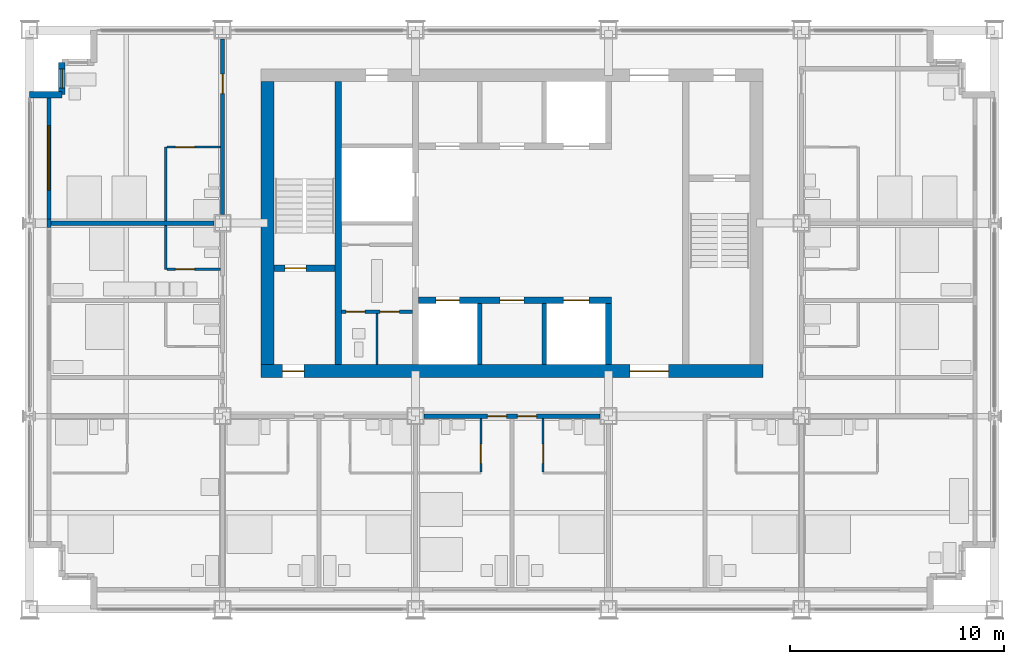
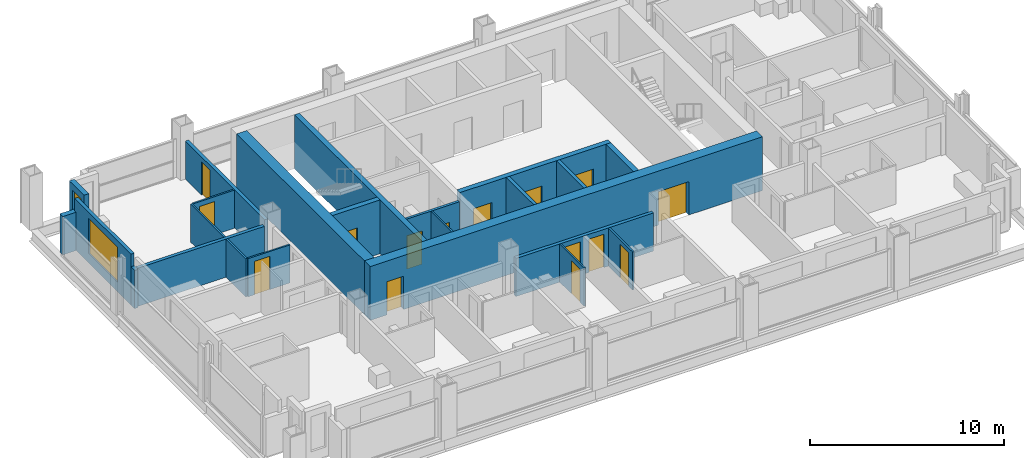
# One storey, part 8 of 14: 23 walls, 15 doors, 2 windows, 17 openings.
"""IFC4 building model written with IfcOpenShell, lengths in metres."""

from ifc_helpers import new_model, si_unit, direction, frame, frame_2d, origin, place, context, subcontext, project, spatial, rectangle, extrude, material, layer, layer_set, type_object, element, fill, save


model = new_model("IFC4")

# Units and contexts
model_context = context("Model", 3, precision=1e-05, world=origin(), true_north=direction((0.0, 1.0)))
body_context = subcontext(model_context, "Body", "Model", "MODEL_VIEW")
ifc_project = project(units=[si_unit("LENGTHUNIT", "METRE"), si_unit("AREAUNIT", "SQUARE_METRE"), si_unit("VOLUMEUNIT", "CUBIC_METRE"), si_unit("PLANEANGLEUNIT", "RADIAN"), si_unit("MASSUNIT", "GRAM", prefix="KILO")], contexts=[model_context])

# Site, building, storey
site_placement = place(None, origin())
site = spatial("IfcSite", under=ifc_project, at=site_placement, CompositionType="ELEMENT")
building_placement = place(site_placement, origin())
building = spatial("IfcBuilding", under=site, at=building_placement, Name="Loomwork Tower", CompositionType="ELEMENT")
storey_placement = place(building_placement, frame((0.0, 0.0, 170.60009765625)))
storey = spatial("IfcBuildingStorey", under=building, at=storey_placement, Name="L46", CompositionType="ELEMENT", Elevation=170.60009765625)

# Wall
ifc_material_1 = material(Name="Concrete 14000 psi (97 MPa)", Category="concrete")
ifc_layer_1 = layer(ifc_material_1, 0.300048828125)
ifc_layer_set_1 = layer_set([ifc_layer_1], Name="Core shear wall 300")
wall_type_1 = type_object("IfcWallType", Name="Core shear wall 300", PredefinedType="SHEAR", material=ifc_layer_set_1)
wall_1_placement = place(storey_placement, frame((14.39990234375, 11.39990234375, 0.0), z_axis=(0.0, 0.0, 1.0), x_axis=(0.0, 1.0, 0.0)))
element("IfcWall", 1, at=wall_1_placement, inside=storey, type_object=wall_type_1, Name="Stair A east wall L46", PredefinedType="SHEAR", context=body_context, shape_type="SweptSolid", body=[
    extrude(rectangle(XDim=13.2001953125, YDim=0.300048828125, at=frame_2d((6.60009765625, 0.0))), origin(), (0.0, 0.0, 1.0), 3.39990234375),
])

# Wall, opening, door
wall_2_placement = place(storey_placement, frame((11.39990234375, 15.89990234375, 0.0), z_axis=(0.0, 0.0, 1.0), x_axis=(1.0, 0.0, 0.0)))
wall_2 = element("IfcWall", 2, at=wall_2_placement, inside=storey, type_object=wall_type_1, Name="Stair A south wall L46", PredefinedType="SHEAR", context=body_context, shape_type="SweptSolid", body=[
    extrude(rectangle(XDim=2.85009765625, YDim=0.300048828125, at=frame_2d((1.425048828125, 0.0))), origin(), (0.0, 0.0, 1.0), 3.39990234375),
])
opening_1_placement = place(wall_2_placement, frame((0.5, 0.0, 0.0)))
opening_1 = element("IfcOpeningElement", 3, at=opening_1_placement, cuts=wall_2, Name="Opening D4", PredefinedType="OPENING", context=body_context, shape_type="SweptSolid", body=[
    extrude(rectangle(XDim=1.0, YDim=2.10009765625, at=frame_2d((0.5, 1.050048828125))), frame((0.0, 0.159912109375, 0.0), z_axis=(0.0, -1.0, 0.0), x_axis=(1.0, 0.0, 0.0)), (0.0, 0.0, 1.0), 0.320068359375),
])
ifc_material_2 = material(Name="Hollow metal door and frame")
door_type_1 = type_object("IfcDoorType", Name="Stair door 1000", OperationType="SINGLE_SWING_RIGHT", PredefinedType="DOOR", material=ifc_material_2)
door_1_placement = place(opening_1_placement, origin())
door_1 = element("IfcDoor", 4, at=door_1_placement, inside=storey, type_object=door_type_1, Name="Stair A door", OperationType="SINGLE_SWING_LEFT", OverallHeight=2.10009765625, OverallWidth=1.0, PredefinedType="DOOR", context=body_context, shape_type="SweptSolid", body=[
    extrude(rectangle(XDim=1.0, YDim=2.10009765625, at=frame_2d((0.5, 1.050048828125))), frame((0.0, 0.02490234375, 0.0), z_axis=(0.0, -1.0, 0.0), x_axis=(1.0, 0.0, 0.0)), (0.0, 0.0, 1.0), 0.050048828125),
])
fill(opening_1, door_1)

# Wall, openings, doors
wall_3_placement = place(storey_placement, frame((18.14990234375, 14.39990234375, 0.0), z_axis=(0.0, 0.0, 1.0), x_axis=(1.0, 0.0, 0.0)))
wall_3 = element("IfcWall", 5, at=wall_3_placement, inside=storey, type_object=wall_type_1, Name="Lift front wall south L46", PredefinedType="SHEAR", context=body_context, shape_type="SweptSolid", body=[
    extrude(rectangle(XDim=9.0, YDim=0.300048828125, at=frame_2d((4.5, 0.0))), origin(), (0.0, 0.0, 1.0), 3.39990234375),
])
opening_2_placement = place(wall_3_placement, frame((0.800048828125, 0.0, 0.0)))
opening_2 = element("IfcOpeningElement", 6, at=opening_2_placement, cuts=wall_3, Name="Opening LD1", PredefinedType="OPENING", context=body_context, shape_type="SweptSolid", body=[
    extrude(rectangle(XDim=1.10009765625, YDim=2.10009765625, at=frame_2d((0.550048828125, 1.050048828125))), frame((0.0, 0.159912109375, 0.0), z_axis=(0.0, -1.0, 0.0), x_axis=(1.0, 0.0, 0.0)), (0.0, 0.0, 1.0), 0.320068359375),
])
opening_3_placement = place(wall_3_placement, frame((6.75, 0.0, 0.0)))
opening_3 = element("IfcOpeningElement", 7, at=opening_3_placement, cuts=wall_3, Name="Opening LD2", PredefinedType="OPENING", context=body_context, shape_type="SweptSolid", body=[
    extrude(rectangle(XDim=1.199951171875, YDim=2.10009765625, at=frame_2d((0.60009765625, 1.050048828125))), frame((0.0, 0.159912109375, 0.0), z_axis=(0.0, -1.0, 0.0), x_axis=(1.0, 0.0, 0.0)), (0.0, 0.0, 1.0), 0.320068359375),
])
opening_4_placement = place(wall_3_placement, frame((3.800048828125, 0.0, 0.0)))
opening_4 = element("IfcOpeningElement", 8, at=opening_4_placement, cuts=wall_3, Name="Opening D17", PredefinedType="OPENING", context=body_context, shape_type="SweptSolid", body=[
    extrude(rectangle(XDim=1.10009765625, YDim=2.10009765625, at=frame_2d((0.550048828125, 1.050048828125))), frame((0.0, 0.159912109375, 0.0), z_axis=(0.0, -1.0, 0.0), x_axis=(1.0, 0.0, 0.0)), (0.0, 0.0, 1.0), 0.320068359375),
])
ifc_material_3 = material(Name="Hollow metal door and frame")
door_type_2 = type_object("IfcDoorType", Name="Lift landing door 1100", OperationType="SLIDING_TO_LEFT", PredefinedType="DOOR", material=ifc_material_3)
door_2_placement = place(opening_2_placement, origin())
door_2 = element("IfcDoor", 9, at=door_2_placement, inside=storey, type_object=door_type_2, Name="Lift landing door LC1", OperationType="SLIDING_TO_LEFT", OverallHeight=2.10009765625, OverallWidth=1.10009765625, PredefinedType="DOOR", context=body_context, shape_type="SweptSolid", body=[
    extrude(rectangle(XDim=1.10009765625, YDim=2.10009765625, at=frame_2d((0.550048828125, 1.050048828125))), frame((0.0, 0.02490234375, 0.0), z_axis=(0.0, -1.0, 0.0), x_axis=(1.0, 0.0, 0.0)), (0.0, 0.0, 1.0), 0.050048828125),
])
fill(opening_2, door_2)
ifc_material_4 = material(Name="Hollow metal door and frame")
door_type_3 = type_object("IfcDoorType", Name="Lift landing door 1200", OperationType="SLIDING_TO_LEFT", PredefinedType="DOOR", material=ifc_material_4)
door_3_placement = place(opening_3_placement, origin())
door_3 = element("IfcDoor", 10, at=door_3_placement, inside=storey, type_object=door_type_3, Name="Lift landing door LF1", OperationType="SLIDING_TO_LEFT", OverallHeight=2.10009765625, OverallWidth=1.199951171875, PredefinedType="DOOR", context=body_context, shape_type="SweptSolid", body=[
    extrude(rectangle(XDim=1.199951171875, YDim=2.10009765625, at=frame_2d((0.60009765625, 1.050048828125))), frame((0.0, 0.02490234375, 0.0), z_axis=(0.0, -1.0, 0.0), x_axis=(1.0, 0.0, 0.0)), (0.0, 0.0, 1.0), 0.050048828125),
])
fill(opening_3, door_3)
ifc_material_5 = material(Name="Hollow metal door and frame")
door_type_4 = type_object("IfcDoorType", Name="Service room door 1100", OperationType="SINGLE_SWING_LEFT", PredefinedType="DOOR", material=ifc_material_5)
door_4_placement = place(opening_4_placement, frame((1.10009765625, 0.0, 0.0), z_axis=(0.0, 0.0, 1.0), x_axis=(-1.0, 0.0, 0.0)))
door_4 = element("IfcDoor", 11, at=door_4_placement, inside=storey, type_object=door_type_4, Name="IT and communications room door L46", OperationType="SINGLE_SWING_RIGHT", OverallHeight=2.10009765625, OverallWidth=1.10009765625, PredefinedType="DOOR", context=body_context, shape_type="SweptSolid", body=[
    extrude(rectangle(XDim=1.10009765625, YDim=2.10009765625, at=frame_2d((0.550048828125, 1.050048828125))), frame((0.0, 0.02490234375, 0.0), z_axis=(0.0, -1.0, 0.0), x_axis=(1.0, 0.0, 0.0)), (0.0, 0.0, 1.0), 0.050048828125),
])
fill(opening_4, door_4)

# Wall
wall_4_placement = place(storey_placement, frame((27.0, 11.39990234375, 0.0), z_axis=(0.0, 0.0, 1.0), x_axis=(0.0, 1.0, 0.0)))
element("IfcWall", 12, at=wall_4_placement, inside=storey, type_object=wall_type_1, Name="Lift shaft end wall south L46", PredefinedType="SHEAR", context=body_context, shape_type="SweptSolid", body=[
    extrude(rectangle(XDim=2.85009765625, YDim=0.300048828125, at=frame_2d((1.425048828125, 0.0))), origin(), (0.0, 0.0, 1.0), 3.39990234375),
])

# Wall, openings, doors
ifc_material_6 = material(Name="Concrete 14000 psi (97 MPa)", Category="concrete")
ifc_layer_2 = layer(ifc_material_6, 0.60009765625)
ifc_layer_set_2 = layer_set([ifc_layer_2], Name="Core shear wall 600")
wall_type_2 = type_object("IfcWallType", Name="Core shear wall 600", PredefinedType="SHEAR", material=ifc_layer_set_2)
wall_5_placement = place(storey_placement, frame((10.800048828125, 11.10009765625, 0.0), z_axis=(0.0, 0.0, 1.0), x_axis=(1.0, 0.0, 0.0)))
wall_5 = element("IfcWall", 13, at=wall_5_placement, inside=storey, type_object=wall_type_2, Name="Core wall south L46", PredefinedType="SHEAR", context=body_context, shape_type="SweptSolid", body=[
    extrude(rectangle(XDim=23.39990234375, YDim=0.60009765625, at=frame_2d((11.699951171875, 0.0))), origin(), (0.0, 0.0, 1.0), 3.39990234375),
])
opening_5_placement = place(wall_5_placement, frame((1.0, 0.0, 0.0)))
opening_5 = element("IfcOpeningElement", 14, at=opening_5_placement, cuts=wall_5, Name="Opening D4", PredefinedType="OPENING", context=body_context, shape_type="SweptSolid", body=[
    extrude(rectangle(XDim=1.0, YDim=2.10009765625, at=frame_2d((0.5, 1.050048828125))), frame((0.0, 0.31005859375, 0.0), z_axis=(0.0, -1.0, 0.0), x_axis=(1.0, 0.0, 0.0)), (0.0, 0.0, 1.0), 0.6201171875),
])
opening_6_placement = place(wall_5_placement, frame((17.199951171875, 0.0, 0.0)))
opening_6 = element("IfcOpeningElement", 15, at=opening_6_placement, cuts=wall_5, Name="Opening D6", PredefinedType="OPENING", context=body_context, shape_type="SweptSolid", body=[
    extrude(rectangle(XDim=1.800048828125, YDim=2.10009765625, at=frame_2d((0.89990234375, 1.050048828125))), frame((0.0, 0.31005859375, 0.0), z_axis=(0.0, -1.0, 0.0), x_axis=(1.0, 0.0, 0.0)), (0.0, 0.0, 1.0), 0.6201171875),
])
ifc_material_7 = material(Name="Hollow metal door and frame")
door_type_5 = type_object("IfcDoorType", Name="Lobby passage double door 1800", OperationType="DOUBLE_DOOR_SINGLE_SWING", PredefinedType="DOOR", material=ifc_material_7)
door_5_placement = place(opening_6_placement, origin())
door_5 = element("IfcDoor", 16, at=door_5_placement, inside=storey, type_object=door_type_5, Name="Lobby passage door south", OperationType="DOUBLE_DOOR_SINGLE_SWING", OverallHeight=2.10009765625, OverallWidth=1.800048828125, PredefinedType="DOOR", context=body_context, shape_type="SweptSolid", body=[
    extrude(rectangle(XDim=1.800048828125, YDim=2.10009765625, at=frame_2d((0.89990234375, 1.050048828125))), frame((0.0, 0.02490234375, 0.0), z_axis=(0.0, -1.0, 0.0), x_axis=(1.0, 0.0, 0.0)), (0.0, 0.0, 1.0), 0.050048828125),
])
fill(opening_6, door_5)
door_6_placement = place(opening_5_placement, origin())
door_6 = element("IfcDoor", 17, at=door_6_placement, inside=storey, type_object=door_type_1, Name="Stair A vestibule door", OperationType="SINGLE_SWING_LEFT", OverallHeight=2.10009765625, OverallWidth=1.0, PredefinedType="DOOR", context=body_context, shape_type="SweptSolid", body=[
    extrude(rectangle(XDim=1.0, YDim=2.10009765625, at=frame_2d((0.5, 1.050048828125))), frame((0.0, 0.02490234375, 0.0), z_axis=(0.0, -1.0, 0.0), x_axis=(1.0, 0.0, 0.0)), (0.0, 0.0, 1.0), 0.050048828125),
])
fill(opening_5, door_6)

# Wall
wall_6_placement = place(storey_placement, frame((11.10009765625, 11.39990234375, 0.0), z_axis=(0.0, 0.0, 1.0), x_axis=(0.0, 1.0, 0.0)))
element("IfcWall", 18, at=wall_6_placement, inside=storey, type_object=wall_type_2, Name="Core wall west L46", PredefinedType="SHEAR", context=body_context, shape_type="SweptSolid", body=[
    extrude(rectangle(XDim=13.2001953125, YDim=0.60009765625, at=frame_2d((6.60009765625, 0.0))), origin(), (0.0, 0.0, 1.0), 3.39990234375),
])

# Wall, openings, doors
ifc_material_8 = material(Name="Gypsum board on steel studs, one-hour", Category="steel")
ifc_layer_3 = layer(ifc_material_8, 0.199951171875)
ifc_layer_set_3 = layer_set([ifc_layer_3], Name="Corridor wall 200")
wall_type_3 = type_object("IfcWallType", Name="Corridor wall 200", PredefinedType="PARTITIONING", material=ifc_layer_set_3)
wall_7_placement = place(storey_placement, frame((18.39990234375, 9.0, 0.0), z_axis=(0.0, 0.0, 1.0), x_axis=(1.0, 0.0, 0.0)))
wall_7 = element("IfcWall", 19, at=wall_7_placement, inside=storey, type_object=wall_type_3, Name="South corridor wall 3", PredefinedType="PARTITIONING", context=body_context, shape_type="SweptSolid", body=[
    extrude(rectangle(XDim=8.2001953125, YDim=0.199951171875, at=frame_2d((4.10009765625, 0.0))), origin(), (0.0, 0.0, 1.0), 2.40478515625),
])
opening_7_placement = place(wall_7_placement, frame((2.949951171875, 0.0, 0.0)))
opening_7 = element("IfcOpeningElement", 20, at=opening_7_placement, cuts=wall_7, Name="Opening D1", PredefinedType="OPENING", context=body_context, shape_type="SweptSolid", body=[
    extrude(rectangle(XDim=0.89990234375, YDim=2.10009765625, at=frame_2d((0.449951171875, 1.050048828125))), frame((0.0, 0.10986328125, 0.0), z_axis=(0.0, -1.0, 0.0), x_axis=(1.0, 0.0, 0.0)), (0.0, 0.0, 1.0), 0.219970703125),
])
opening_8_placement = place(wall_7_placement, frame((4.35009765625, 0.0, 0.0)))
opening_8 = element("IfcOpeningElement", 21, at=opening_8_placement, cuts=wall_7, Name="Opening D1", PredefinedType="OPENING", context=body_context, shape_type="SweptSolid", body=[
    extrude(rectangle(XDim=0.89990234375, YDim=2.10009765625, at=frame_2d((0.449951171875, 1.050048828125))), frame((0.0, 0.10986328125, 0.0), z_axis=(0.0, -1.0, 0.0), x_axis=(1.0, 0.0, 0.0)), (0.0, 0.0, 1.0), 0.219970703125),
])
ifc_material_9 = material(Name="Hollow metal door and frame")
door_type_6 = type_object("IfcDoorType", Name="Guest room entry door 900", OperationType="SINGLE_SWING_LEFT", PredefinedType="DOOR", material=ifc_material_9)
door_7_placement = place(opening_7_placement, frame((0.89990234375, 0.0, 0.0), z_axis=(0.0, 0.0, 1.0), x_axis=(-1.0, 0.0, 0.0)))
door_7 = element("IfcDoor", 22, at=door_7_placement, inside=storey, type_object=door_type_6, Name="Guest room entry door L46 4", OperationType="SINGLE_SWING_LEFT", OverallHeight=2.10009765625, OverallWidth=0.89990234375, PredefinedType="DOOR", context=body_context, shape_type="SweptSolid", body=[
    extrude(rectangle(XDim=0.89990234375, YDim=2.10009765625, at=frame_2d((0.449951171875, 1.050048828125))), frame((0.0, 0.02490234375, 0.0), z_axis=(0.0, -1.0, 0.0), x_axis=(1.0, 0.0, 0.0)), (0.0, 0.0, 1.0), 0.050048828125),
])
fill(opening_7, door_7)
door_8_placement = place(opening_8_placement, frame((0.89990234375, 0.0, 0.0), z_axis=(0.0, 0.0, 1.0), x_axis=(-1.0, 0.0, 0.0)))
door_8 = element("IfcDoor", 23, at=door_8_placement, inside=storey, type_object=door_type_6, Name="Guest room entry door L46 5", OperationType="SINGLE_SWING_RIGHT", OverallHeight=2.10009765625, OverallWidth=0.89990234375, PredefinedType="DOOR", context=body_context, shape_type="SweptSolid", body=[
    extrude(rectangle(XDim=0.89990234375, YDim=2.10009765625, at=frame_2d((0.449951171875, 1.050048828125))), frame((0.0, 0.02490234375, 0.0), z_axis=(0.0, -1.0, 0.0), x_axis=(1.0, 0.0, 0.0)), (0.0, 0.0, 1.0), 0.050048828125),
])
fill(opening_8, door_8)

# Wall, opening, door
wall_8_placement = place(storey_placement, frame((9.0, 18.39990234375, 0.0), z_axis=(0.0, 0.0, 1.0), x_axis=(0.0, 1.0, 0.0)))
wall_8 = element("IfcWall", 24, at=wall_8_placement, inside=storey, type_object=wall_type_3, Name="West corridor wall 2", PredefinedType="PARTITIONING", context=body_context, shape_type="SweptSolid", body=[
    extrude(rectangle(XDim=8.2001953125, YDim=0.199951171875, at=frame_2d((4.10009765625, 0.0))), origin(), (0.0, 0.0, 1.0), 2.40478515625),
])
opening_9_placement = place(wall_8_placement, frame((5.64990234375, 0.0, 0.0)))
opening_9 = element("IfcOpeningElement", 25, at=opening_9_placement, cuts=wall_8, Name="Opening D1", PredefinedType="OPENING", context=body_context, shape_type="SweptSolid", body=[
    extrude(rectangle(XDim=0.89990234375, YDim=2.10009765625, at=frame_2d((0.449951171875, 1.050048828125))), frame((0.0, 0.10986328125, 0.0), z_axis=(0.0, -1.0, 0.0), x_axis=(1.0, 0.0, 0.0)), (0.0, 0.0, 1.0), 0.219970703125),
])
door_9_placement = place(opening_9_placement, origin())
door_9 = element("IfcDoor", 26, at=door_9_placement, inside=storey, type_object=door_type_6, Name="Guest room entry door L46 10", OperationType="SINGLE_SWING_RIGHT", OverallHeight=2.10009765625, OverallWidth=0.89990234375, PredefinedType="DOOR", context=body_context, shape_type="SweptSolid", body=[
    extrude(rectangle(XDim=0.89990234375, YDim=2.10009765625, at=frame_2d((0.449951171875, 1.050048828125))), frame((0.0, 0.02490234375, 0.0), z_axis=(0.0, -1.0, 0.0), x_axis=(1.0, 0.0, 0.0)), (0.0, 0.0, 1.0), 0.050048828125),
])
fill(opening_9, door_9)

ifc_material_10 = material(Name="Cement board on steel studs", Category="steel")
ifc_layer_4 = layer(ifc_material_10, 0.10009765625)
ifc_layer_set_4 = layer_set([ifc_layer_4], Name="En-suite partition 100")
wall_type_4 = type_object("IfcWallType", Name="En-suite partition 100", PredefinedType="PARTITIONING", material=ifc_layer_set_4)
wall_9_placement = place(storey_placement, frame((21.050048828125, 8.89990234375, 0.0), z_axis=(0.0, 0.0, 1.0), x_axis=(0.0, -1.0, 0.0)))
wall_9 = element("IfcWall", 27, at=wall_9_placement, inside=storey, type_object=wall_type_4, Name="En-suite side wall L46 room 4", PredefinedType="PARTITIONING", context=body_context, shape_type="SweptSolid", body=[
    extrude(rectangle(XDim=2.5, YDim=0.10009765625, at=frame_2d((1.25, 0.0))), origin(), (0.0, 0.0, 1.0), 2.40380859375),
])
opening_10_placement = place(wall_9_placement, frame((1.199951171875, 0.0, 0.0)))
opening_10 = element("IfcOpeningElement", 28, at=opening_10_placement, cuts=wall_9, Name="Opening D2", PredefinedType="OPENING", context=body_context, shape_type="SweptSolid", body=[
    extrude(rectangle(XDim=0.89990234375, YDim=2.10009765625, at=frame_2d((0.449951171875, 1.050048828125))), frame((0.0, 0.06005859375, 0.0), z_axis=(0.0, -1.0, 0.0), x_axis=(1.0, 0.0, 0.0)), (0.0, 0.0, 1.0), 0.1201171875),
])
ifc_material_11 = material(Name="Hollow metal door and frame")
door_type_7 = type_object("IfcDoorType", Name="En-suite door 900", OperationType="SINGLE_SWING_LEFT", PredefinedType="DOOR", material=ifc_material_11)
door_10_placement = place(opening_10_placement, frame((0.89990234375, 0.0, 0.0), z_axis=(0.0, 0.0, 1.0), x_axis=(-1.0, 0.0, 0.0)))
door_10 = element("IfcDoor", 29, at=door_10_placement, inside=storey, type_object=door_type_7, Name="En-suite door room 4", OperationType="SINGLE_SWING_LEFT", OverallHeight=2.10009765625, OverallWidth=0.89990234375, PredefinedType="DOOR", context=body_context, shape_type="SweptSolid", body=[
    extrude(rectangle(XDim=0.89990234375, YDim=2.10009765625, at=frame_2d((0.449951171875, 1.050048828125))), frame((0.0, 0.02490234375, 0.0), z_axis=(0.0, -1.0, 0.0), x_axis=(1.0, 0.0, 0.0)), (0.0, 0.0, 1.0), 0.050048828125),
])
fill(opening_10, door_10)

wall_10_placement = place(storey_placement, frame((23.949951171875, 8.89990234375, 0.0), z_axis=(0.0, 0.0, 1.0), x_axis=(0.0, -1.0, 0.0)))
wall_10 = element("IfcWall", 30, at=wall_10_placement, inside=storey, type_object=wall_type_4, Name="En-suite side wall L46 room 5", PredefinedType="PARTITIONING", context=body_context, shape_type="SweptSolid", body=[
    extrude(rectangle(XDim=2.5, YDim=0.10009765625, at=frame_2d((1.25, 0.0))), origin(), (0.0, 0.0, 1.0), 2.40380859375),
])
opening_11_placement = place(wall_10_placement, frame((1.199951171875, 0.0, 0.0)))
opening_11 = element("IfcOpeningElement", 31, at=opening_11_placement, cuts=wall_10, Name="Opening D2", PredefinedType="OPENING", context=body_context, shape_type="SweptSolid", body=[
    extrude(rectangle(XDim=0.89990234375, YDim=2.10009765625, at=frame_2d((0.449951171875, 1.050048828125))), frame((0.0, 0.06005859375, 0.0), z_axis=(0.0, -1.0, 0.0), x_axis=(1.0, 0.0, 0.0)), (0.0, 0.0, 1.0), 0.1201171875),
])
door_11_placement = place(opening_11_placement, origin())
door_11 = element("IfcDoor", 32, at=door_11_placement, inside=storey, type_object=door_type_7, Name="En-suite door room 5", OperationType="SINGLE_SWING_RIGHT", OverallHeight=2.10009765625, OverallWidth=0.89990234375, PredefinedType="DOOR", context=body_context, shape_type="SweptSolid", body=[
    extrude(rectangle(XDim=0.89990234375, YDim=2.10009765625, at=frame_2d((0.449951171875, 1.050048828125))), frame((0.0, 0.02490234375, 0.0), z_axis=(0.0, -1.0, 0.0), x_axis=(1.0, 0.0, 0.0)), (0.0, 0.0, 1.0), 0.050048828125),
])
fill(opening_11, door_11)

# Wall
wall_11_placement = place(storey_placement, frame((6.35009765625, 15.85009765625, 0.0), z_axis=(0.0, 0.0, 1.0), x_axis=(0.0, 1.0, 0.0)))
element("IfcWall", 33, at=wall_11_placement, inside=storey, type_object=wall_type_4, Name="En-suite wall L46 room 9", PredefinedType="PARTITIONING", context=body_context, shape_type="SweptSolid", body=[
    extrude(rectangle(XDim=2.0498046875, YDim=0.10009765625, at=frame_2d((1.02490234375, 0.0))), origin(), (0.0, 0.0, 1.0), 2.40380859375),
])

# Wall, opening, door
wall_12_placement = place(storey_placement, frame((8.89990234375, 15.85009765625, 0.0), z_axis=(0.0, 0.0, 1.0), x_axis=(-1.0, 0.0, 0.0)))
wall_12 = element("IfcWall", 34, at=wall_12_placement, inside=storey, type_object=wall_type_4, Name="En-suite side wall L46 room 9", PredefinedType="PARTITIONING", context=body_context, shape_type="SweptSolid", body=[
    extrude(rectangle(XDim=2.5, YDim=0.10009765625, at=frame_2d((1.25, 0.0))), origin(), (0.0, 0.0, 1.0), 2.40380859375),
])
opening_12_placement = place(wall_12_placement, frame((1.199951171875, 0.0, 0.0)))
opening_12 = element("IfcOpeningElement", 35, at=opening_12_placement, cuts=wall_12, Name="Opening D2", PredefinedType="OPENING", context=body_context, shape_type="SweptSolid", body=[
    extrude(rectangle(XDim=0.89990234375, YDim=2.10009765625, at=frame_2d((0.449951171875, 1.050048828125))), frame((0.0, 0.06005859375, 0.0), z_axis=(0.0, -1.0, 0.0), x_axis=(1.0, 0.0, 0.0)), (0.0, 0.0, 1.0), 0.1201171875),
])
door_12_placement = place(opening_12_placement, frame((0.89990234375, 0.0, 0.0), z_axis=(0.0, 0.0, 1.0), x_axis=(-1.0, 0.0, 0.0)))
door_12 = element("IfcDoor", 36, at=door_12_placement, inside=storey, type_object=door_type_7, Name="En-suite door room 9", OperationType="SINGLE_SWING_LEFT", OverallHeight=2.10009765625, OverallWidth=0.89990234375, PredefinedType="DOOR", context=body_context, shape_type="SweptSolid", body=[
    extrude(rectangle(XDim=0.89990234375, YDim=2.10009765625, at=frame_2d((0.449951171875, 1.050048828125))), frame((0.0, 0.02490234375, 0.0), z_axis=(0.0, -1.0, 0.0), x_axis=(1.0, 0.0, 0.0)), (0.0, 0.0, 1.0), 0.050048828125),
])
fill(opening_12, door_12)

# Wall
wall_13_placement = place(storey_placement, frame((6.35009765625, 18.10009765625, 0.0), z_axis=(0.0, 0.0, 1.0), x_axis=(0.0, 1.0, 0.0)))
element("IfcWall", 37, at=wall_13_placement, inside=storey, type_object=wall_type_4, Name="En-suite wall L46 room 10", PredefinedType="PARTITIONING", context=body_context, shape_type="SweptSolid", body=[
    extrude(rectangle(XDim=3.449951171875, YDim=0.10009765625, at=frame_2d((1.72509765625, 0.0))), origin(), (0.0, 0.0, 1.0), 2.40380859375),
])

# Wall, opening, door
wall_14_placement = place(storey_placement, frame((8.89990234375, 21.550048828125, 0.0), z_axis=(0.0, 0.0, 1.0), x_axis=(-1.0, 0.0, 0.0)))
wall_14 = element("IfcWall", 38, at=wall_14_placement, inside=storey, type_object=wall_type_4, Name="En-suite side wall L46 room 10", PredefinedType="PARTITIONING", context=body_context, shape_type="SweptSolid", body=[
    extrude(rectangle(XDim=2.5, YDim=0.10009765625, at=frame_2d((1.25, 0.0))), origin(), (0.0, 0.0, 1.0), 2.40380859375),
])
opening_13_placement = place(wall_14_placement, frame((1.199951171875, 0.0, 0.0)))
opening_13 = element("IfcOpeningElement", 39, at=opening_13_placement, cuts=wall_14, Name="Opening D2", PredefinedType="OPENING", context=body_context, shape_type="SweptSolid", body=[
    extrude(rectangle(XDim=0.89990234375, YDim=2.10009765625, at=frame_2d((0.449951171875, 1.050048828125))), frame((0.0, 0.06005859375, 0.0), z_axis=(0.0, -1.0, 0.0), x_axis=(1.0, 0.0, 0.0)), (0.0, 0.0, 1.0), 0.1201171875),
])
door_13_placement = place(opening_13_placement, origin())
door_13 = element("IfcDoor", 40, at=door_13_placement, inside=storey, type_object=door_type_7, Name="En-suite door room 10", OperationType="SINGLE_SWING_RIGHT", OverallHeight=2.10009765625, OverallWidth=0.89990234375, PredefinedType="DOOR", context=body_context, shape_type="SweptSolid", body=[
    extrude(rectangle(XDim=0.89990234375, YDim=2.10009765625, at=frame_2d((0.449951171875, 1.050048828125))), frame((0.0, 0.02490234375, 0.0), z_axis=(0.0, -1.0, 0.0), x_axis=(1.0, 0.0, 0.0)), (0.0, 0.0, 1.0), 0.050048828125),
])
fill(opening_13, door_13)

# Walls
wall_15_placement = place(storey_placement, frame((16.199951171875, 11.39990234375, 0.0), z_axis=(0.0, 0.0, 1.0), x_axis=(0.0, 1.0, 0.0)))
element("IfcWall", 41, at=wall_15_placement, inside=storey, type_object=wall_type_4, Name="Back-of-house partition L46 2", PredefinedType="PARTITIONING", context=body_context, shape_type="SweptSolid", body=[
    extrude(rectangle(XDim=2.400146484375, YDim=0.10009765625, at=frame_2d((1.2001953125, 0.0))), origin(), (0.0, 0.0, 1.0), 3.199951171875),
])
ifc_material_12 = material(Name="Gypsum board on steel studs, acoustic", Category="steel")
ifc_layer_5 = layer(ifc_material_12, 0.199951171875)
ifc_layer_set_5 = layer_set([ifc_layer_5], Name="Guest room party wall 200")
wall_type_5 = type_object("IfcWallType", Name="Guest room party wall 200", PredefinedType="PARTITIONING", material=ifc_layer_set_5)
wall_16_placement = place(storey_placement, frame((8.60009765625, 18.0, 0.0), z_axis=(0.0, 0.0, 1.0), x_axis=(-1.0, 0.0, 0.0)))
element("IfcWall", 42, at=wall_16_placement, inside=storey, type_object=wall_type_5, Name="Guest room party wall W 18", PredefinedType="PARTITIONING", context=body_context, shape_type="SweptSolid", body=[
    extrude(rectangle(XDim=7.60009765625, YDim=0.199951171875, at=frame_2d((3.800048828125, 0.0))), origin(), (0.0, 0.0, 1.0), 2.40478515625),
])
ifc_material_13 = material(Name="Insulated steel stud wall with gypsum lining", Category="steel")
ifc_layer_6 = layer(ifc_material_13, 0.199951171875)
ifc_layer_set_6 = layer_set([ifc_layer_6], Name="Inner skin wall 200")
wall_type_6 = type_object("IfcWallType", Name="Inner skin wall 200", PredefinedType="SOLIDWALL", material=ifc_layer_set_6)
wall_17_placement = place(storey_placement, frame((0.89990234375, 17.80615234375, 0.0), z_axis=(0.0, 0.0, 1.0), x_axis=(0.0, 1.0, 0.0)))
element("IfcWall", 43, at=wall_17_placement, inside=storey, type_object=wall_type_6, Name="Inner skin wall W bay 6", PredefinedType="SOLIDWALL", context=body_context, shape_type="SweptSolid", body=[
    extrude(rectangle(XDim=0.3876953125, YDim=0.199951171875, at=frame_2d((0.19384765625, 0.0))), origin(), (0.0, 0.0, 1.0), 2.40380859375),
])

# Wall, opening, window
wall_18_placement = place(storey_placement, frame((0.89990234375, 18.19384765625, 0.0), z_axis=(0.0, 0.0, 1.0), x_axis=(0.0, 1.0, 0.0)))
wall_18 = element("IfcWall", 44, at=wall_18_placement, inside=storey, type_object=wall_type_6, Name="Inner skin wall W bay 7", PredefinedType="SOLIDWALL", context=body_context, shape_type="SweptSolid", body=[
    extrude(rectangle(XDim=5.80615234375, YDim=0.199951171875, at=frame_2d((2.903076171875, 0.0))), origin(), (0.0, 0.0, 1.0), 3.199951171875),
])
opening_14_placement = place(wall_18_placement, frame((1.356201171875, 0.0, 0.60009765625)))
opening_14 = element("IfcOpeningElement", 45, at=opening_14_placement, cuts=wall_18, Name="Opening CH1", PredefinedType="OPENING", context=body_context, shape_type="SweptSolid", body=[
    extrude(rectangle(XDim=3.0, YDim=2.199951171875, at=frame_2d((1.5, 1.10009765625))), frame((0.0, 0.10986328125, 0.0), z_axis=(0.0, -1.0, 0.0), x_axis=(1.0, 0.0, 0.0)), (0.0, 0.0, 1.0), 0.219970703125),
])
ifc_material_14 = material(Name="Aluminium frame with clear insulated glass", Category="aluminium")
window_type_1 = type_object("IfcWindowType", Name="Chicago window 3000", PartitioningType="TRIPLE_PANEL_VERTICAL", PredefinedType="WINDOW", material=ifc_material_14)
window_1_placement = place(opening_14_placement, origin())
window_1 = element("IfcWindow", 46, at=window_1_placement, inside=storey, type_object=window_type_1, Name="Chicago window L46 bay 7", OverallHeight=2.199951171875, OverallWidth=3.0, PartitioningType="TRIPLE_PANEL_VERTICAL", PredefinedType="WINDOW", context=body_context, shape_type="SweptSolid", body=[
    extrude(rectangle(XDim=3.0, YDim=2.199951171875, at=frame_2d((1.5, 1.10009765625))), frame((0.0, 0.030029296875, 0.0), z_axis=(0.0, -1.0, 0.0), x_axis=(1.0, 0.0, 0.0)), (0.0, 0.0, 1.0), 0.06005859375),
])
fill(opening_14, window_1)

# Walls
ifc_material_15 = material(Name="Concrete 14000 psi (97 MPa)", Category="concrete")
ifc_layer_7 = layer(ifc_material_15, 0.199951171875)
ifc_layer_set_7 = layer_set([ifc_layer_7], Name="Lift shaft wall 200")
wall_type_7 = type_object("IfcWallType", Name="Lift shaft wall 200", PredefinedType="SHEAR", material=ifc_layer_set_7)
for number, where, z_axis, x_axis, name in (
    (47, (21.0, 11.39990234375, 0.0), (0.0, 0.0, 1.0), (0.0, 1.0, 0.0), "Lift shaft separation wall south 1 L46"),
    (48, (24.0, 11.39990234375, 0.0), (0.0, 0.0, 1.0), (0.0, 1.0, 0.0), "Lift shaft separation wall south 2 L46"),
):
    element("IfcWall", number, at=place(storey_placement, frame(where, z_axis=z_axis, x_axis=x_axis)), inside=storey, type_object=wall_type_7, Name=name, PredefinedType="SHEAR", context=body_context, shape_type="SweptSolid", body=[
        extrude(rectangle(XDim=2.85009765625, YDim=0.199951171875, at=frame_2d((1.425048828125, 0.0))), origin(), (0.0, 0.0, 1.0), 3.39990234375),
    ])

# Wall, opening, window
ifc_material_16 = material(Name="Limestone on concrete masonry", Category="masonry")
ifc_layer_8 = layer(ifc_material_16, 0.300048828125)
ifc_layer_set_8 = layer_set([ifc_layer_8], Name="Limestone corner wall 300")
wall_type_8 = type_object("IfcWallType", Name="Limestone corner wall 300", PredefinedType="SOLIDWALL", material=ifc_layer_set_8)
wall_19_placement = place(storey_placement, frame((1.5, 25.5, 0.0), z_axis=(0.0, 0.0, 1.0), x_axis=(0.0, -1.0, 0.0)))
wall_19 = element("IfcWall", 49, at=wall_19_placement, inside=storey, type_object=wall_type_8, Name="Stone corner wall NW 3", PredefinedType="SOLIDWALL", context=body_context, shape_type="SweptSolid", body=[
    extrude(rectangle(XDim=1.5, YDim=0.300048828125, at=frame_2d((0.75, 0.0))), origin(), (0.0, 0.0, 1.0), 3.199951171875),
])
opening_15_placement = place(wall_19_placement, frame((0.300048828125, 0.0, 0.60009765625)))
opening_15 = element("IfcOpeningElement", 50, at=opening_15_placement, cuts=wall_19, Name="Opening CH2", PredefinedType="OPENING", context=body_context, shape_type="SweptSolid", body=[
    extrude(rectangle(XDim=0.89990234375, YDim=2.199951171875, at=frame_2d((0.449951171875, 1.10009765625))), frame((0.0, 0.159912109375, 0.0), z_axis=(0.0, -1.0, 0.0), x_axis=(1.0, 0.0, 0.0)), (0.0, 0.0, 1.0), 0.320068359375),
])
ifc_material_17 = material(Name="Aluminium frame with clear insulated glass", Category="aluminium")
window_type_2 = type_object("IfcWindowType", Name="Corner window 900", PartitioningType="SINGLE_PANEL", PredefinedType="WINDOW", material=ifc_material_17)
window_2_placement = place(opening_15_placement, origin())
window_2 = element("IfcWindow", 51, at=window_2_placement, inside=storey, type_object=window_type_2, Name="Corner window NW", OverallHeight=2.199951171875, OverallWidth=0.89990234375, PartitioningType="SINGLE_PANEL", PredefinedType="WINDOW", context=body_context, shape_type="SweptSolid", body=[
    extrude(rectangle(XDim=0.89990234375, YDim=2.199951171875, at=frame_2d((0.449951171875, 1.10009765625))), frame((0.0, 0.030029296875, 0.0), z_axis=(0.0, -1.0, 0.0), x_axis=(1.0, 0.0, 0.0)), (0.0, 0.0, 1.0), 0.06005859375),
])
fill(opening_15, window_2)

# Wall
wall_20_placement = place(storey_placement, frame((1.5, 24.0, 0.0), z_axis=(0.0, 0.0, 1.0), x_axis=(-1.0, 0.0, 0.0)))
element("IfcWall", 52, at=wall_20_placement, inside=storey, type_object=wall_type_8, Name="Stone corner wall NW 4", PredefinedType="SOLIDWALL", context=body_context, shape_type="SweptSolid", body=[
    extrude(rectangle(XDim=1.5, YDim=0.300048828125, at=frame_2d((0.75, 0.0))), origin(), (0.0, 0.0, 1.0), 2.419921875),
])

# Wall, openings, doors
ifc_material_18 = material(Name="Gypsum board on steel studs, one-hour", Category="steel")
ifc_layer_9 = layer(ifc_material_18, 0.14990234375)
ifc_layer_set_9 = layer_set([ifc_layer_9], Name="Service partition 150")
wall_type_9 = type_object("IfcWallType", Name="Service partition 150", PredefinedType="PARTITIONING", material=ifc_layer_set_9)
wall_21_placement = place(storey_placement, frame((14.550048828125, 13.875, 0.0), z_axis=(0.0, 0.0, 1.0), x_axis=(1.0, 0.0, 0.0)))
wall_21 = element("IfcWall", 53, at=wall_21_placement, inside=storey, type_object=wall_type_9, Name="Back-of-house partition L46", PredefinedType="PARTITIONING", context=body_context, shape_type="SweptSolid", body=[
    extrude(rectangle(XDim=3.300048828125, YDim=0.14990234375, at=frame_2d((1.64990234375, 0.0))), origin(), (0.0, 0.0, 1.0), 3.199951171875),
])
opening_16_placement = place(wall_21_placement, frame((0.199951171875, 0.0, 0.0)))
opening_16 = element("IfcOpeningElement", 54, at=opening_16_placement, cuts=wall_21, Name="Opening D20", PredefinedType="OPENING", context=body_context, shape_type="SweptSolid", body=[
    extrude(rectangle(XDim=0.89990234375, YDim=2.10009765625, at=frame_2d((0.449951171875, 1.050048828125))), frame((0.0, 0.0849609375, 0.0), z_axis=(0.0, -1.0, 0.0), x_axis=(1.0, 0.0, 0.0)), (0.0, 0.0, 1.0), 0.169921875),
])
opening_17_placement = place(wall_21_placement, frame((1.800048828125, 0.0, 0.0)))
opening_17 = element("IfcOpeningElement", 55, at=opening_17_placement, cuts=wall_21, Name="Opening D20", PredefinedType="OPENING", context=body_context, shape_type="SweptSolid", body=[
    extrude(rectangle(XDim=0.89990234375, YDim=2.10009765625, at=frame_2d((0.449951171875, 1.050048828125))), frame((0.0, 0.0849609375, 0.0), z_axis=(0.0, -1.0, 0.0), x_axis=(1.0, 0.0, 0.0)), (0.0, 0.0, 1.0), 0.169921875),
])
ifc_material_19 = material(Name="Hollow metal door and frame")
door_type_8 = type_object("IfcDoorType", Name="Back-of-house door 900", OperationType="SINGLE_SWING_LEFT", PredefinedType="DOOR", material=ifc_material_19)
door_14_placement = place(opening_16_placement, frame((0.89990234375, 0.0, 0.0), z_axis=(0.0, 0.0, 1.0), x_axis=(-1.0, 0.0, 0.0)))
door_14 = element("IfcDoor", 56, at=door_14_placement, inside=storey, type_object=door_type_8, Name="Back-of-house room door", OperationType="SINGLE_SWING_RIGHT", OverallHeight=2.10009765625, OverallWidth=0.89990234375, PredefinedType="DOOR", context=body_context, shape_type="SweptSolid", body=[
    extrude(rectangle(XDim=0.89990234375, YDim=2.10009765625, at=frame_2d((0.449951171875, 1.050048828125))), frame((0.0, 0.02490234375, 0.0), z_axis=(0.0, -1.0, 0.0), x_axis=(1.0, 0.0, 0.0)), (0.0, 0.0, 1.0), 0.050048828125),
])
fill(opening_16, door_14)
door_15_placement = place(opening_17_placement, frame((0.89990234375, 0.0, 0.0), z_axis=(0.0, 0.0, 1.0), x_axis=(-1.0, 0.0, 0.0)))
door_15 = element("IfcDoor", 57, at=door_15_placement, inside=storey, type_object=door_type_8, Name="Back-of-house room door", OperationType="SINGLE_SWING_RIGHT", OverallHeight=2.10009765625, OverallWidth=0.89990234375, PredefinedType="DOOR", context=body_context, shape_type="SweptSolid", body=[
    extrude(rectangle(XDim=0.89990234375, YDim=2.10009765625, at=frame_2d((0.449951171875, 1.050048828125))), frame((0.0, 0.02490234375, 0.0), z_axis=(0.0, -1.0, 0.0), x_axis=(1.0, 0.0, 0.0)), (0.0, 0.0, 1.0), 0.050048828125),
])
fill(opening_17, door_15)

save(model, "model.ifc")
